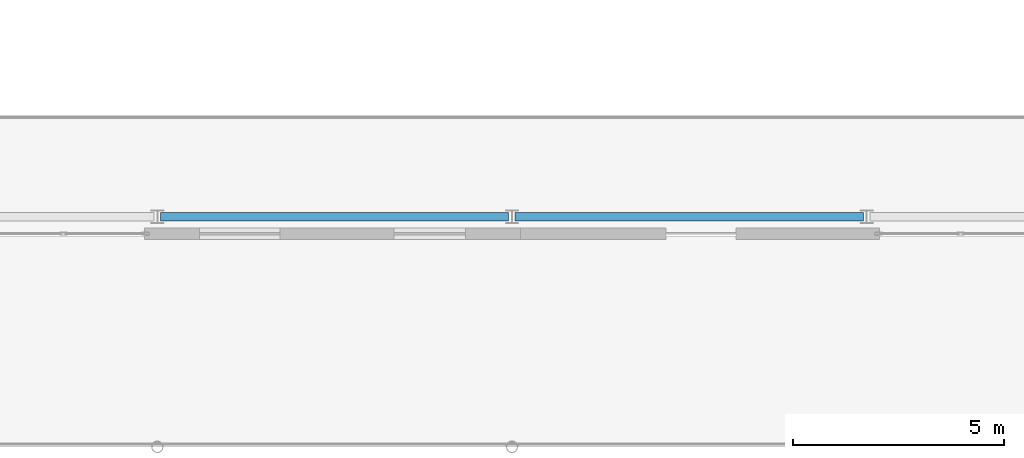
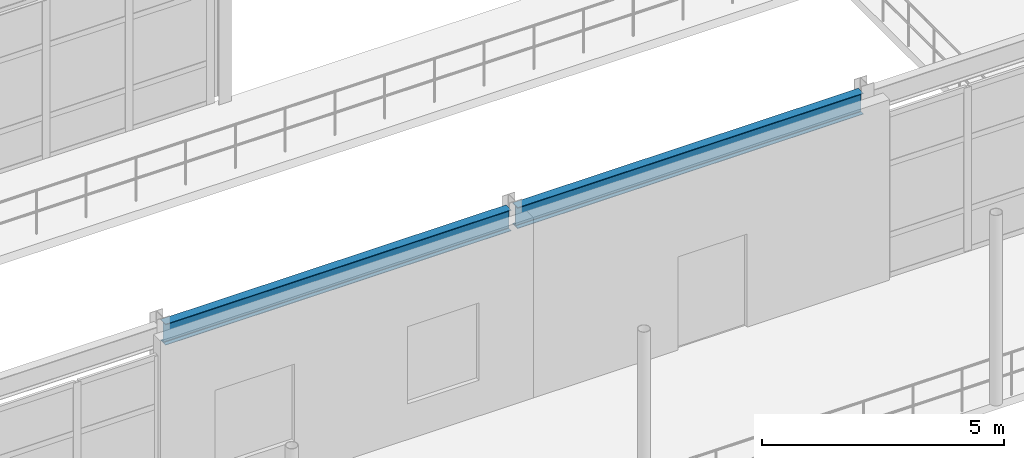
# One storey, part 28 of 116: 2 beams.
"""IFC4 building model written with IfcOpenShell, lengths in metres."""

from ifc_helpers import new_model, si_unit, direction, frame, origin, origin_2d, place, context, subcontext, project, spatial, i_section, extrude, material, material_profile, profile_set, type_object, element, save


model = new_model("IFC4")

# Units and contexts
model_context = context("Model", 3, precision=1e-05, world=origin(), true_north=direction((0.0, 1.0)))
body_context = subcontext(model_context, "Body", "Model", "MODEL_VIEW")
ifc_project = project(units=[si_unit("LENGTHUNIT", "METRE"), si_unit("AREAUNIT", "SQUARE_METRE"), si_unit("VOLUMEUNIT", "CUBIC_METRE"), si_unit("PLANEANGLEUNIT", "RADIAN"), si_unit("MASSUNIT", "GRAM", prefix="KILO")], contexts=[model_context])

# Site, building, storey
site_placement = place(None, origin())
site = spatial("IfcSite", under=ifc_project, at=site_placement, CompositionType="ELEMENT")
building_placement = place(site_placement, origin())
building = spatial("IfcBuilding", under=site, at=building_placement, Name="Selat Folded Stagehouse", CompositionType="ELEMENT")
storey_placement = place(building_placement, frame((0.0, 0.0, 5.39990234375)))
storey = spatial("IfcBuildingStorey", under=building, at=storey_placement, Name="L01", CompositionType="ELEMENT", Elevation=5.39990234375)

# Beams
ifc_material = material(Name="Steel S355", Category="steel")
ifc_material_profile = material_profile(ifc_material, i_section(OverallWidth=0.209228515625, OverallDepth=0.533203125, WebThickness=0.010009765625, FlangeThickness=0.015625, FilletRadius=0.0126953125, at=origin_2d()), Name="UKB 533x210x92")
ifc_profile_set = profile_set([ifc_material_profile], Name="Steel S355")
beam_type = type_object("IfcBeamType", Name="BM-GIRD-533x210x92", PredefinedType="BEAM", material=ifc_profile_set)
beam_1_placement = place(storey_placement, frame((50.47705078125, 5.800048828125, 4.3134765625), z_axis=(1.0, 0.0, 0.0), x_axis=(0.0, 1.0, 0.0)))
element("IfcBeam", 1, at=beam_1_placement, inside=storey, type_object=beam_type, Name="L01 primary x-girder 0758", PredefinedType="BEAM", context=body_context, shape_type="SweptSolid", body=[
    extrude(i_section(OverallWidth=0.209228515625, OverallDepth=0.533203125, WebThickness=0.010009765625, FlangeThickness=0.015625, FilletRadius=0.0126953125, at=origin_2d()), origin(), (0.0, 0.0, 1.0), 8.245849609375),
])
beam_2_placement = place(storey_placement, frame((58.876953125, 5.800048828125, 4.3134765625), z_axis=(1.0, 0.0, 0.0), x_axis=(0.0, 1.0, 0.0)))
element("IfcBeam", 2, at=beam_2_placement, inside=storey, type_object=beam_type, Name="L01 primary x-girder 0759", PredefinedType="BEAM", context=body_context, shape_type="SweptSolid", body=[
    extrude(i_section(OverallWidth=0.209228515625, OverallDepth=0.533203125, WebThickness=0.010009765625, FlangeThickness=0.015625, FilletRadius=0.0126953125, at=origin_2d()), origin(), (0.0, 0.0, 1.0), 8.24609375),
])

save(model, "model.ifc")
